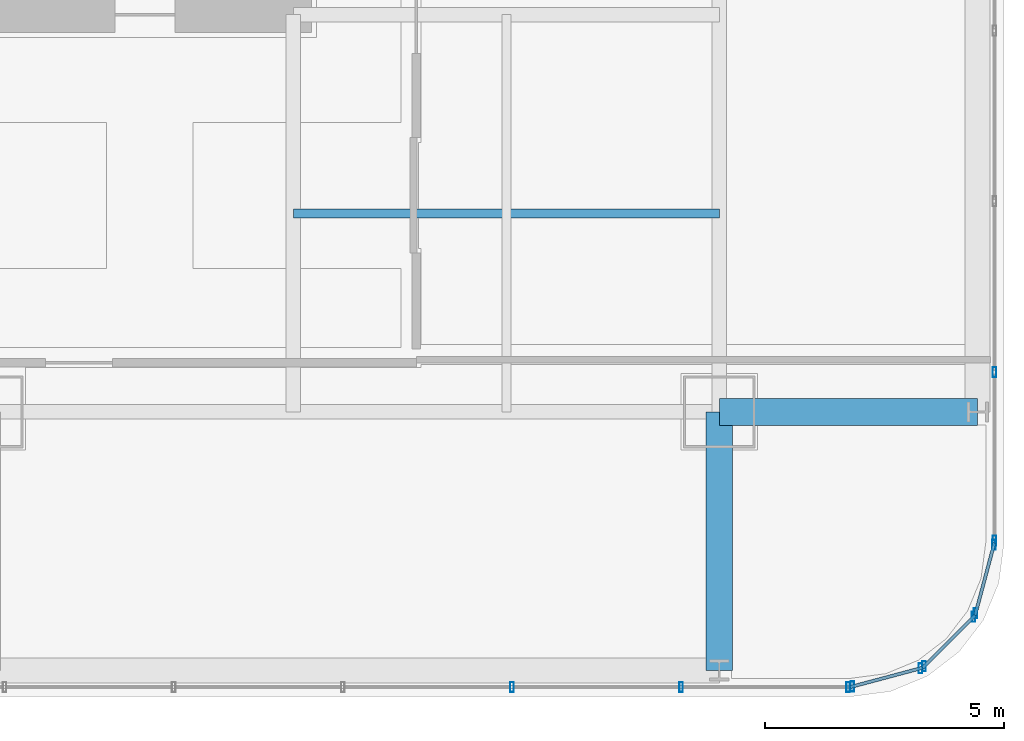
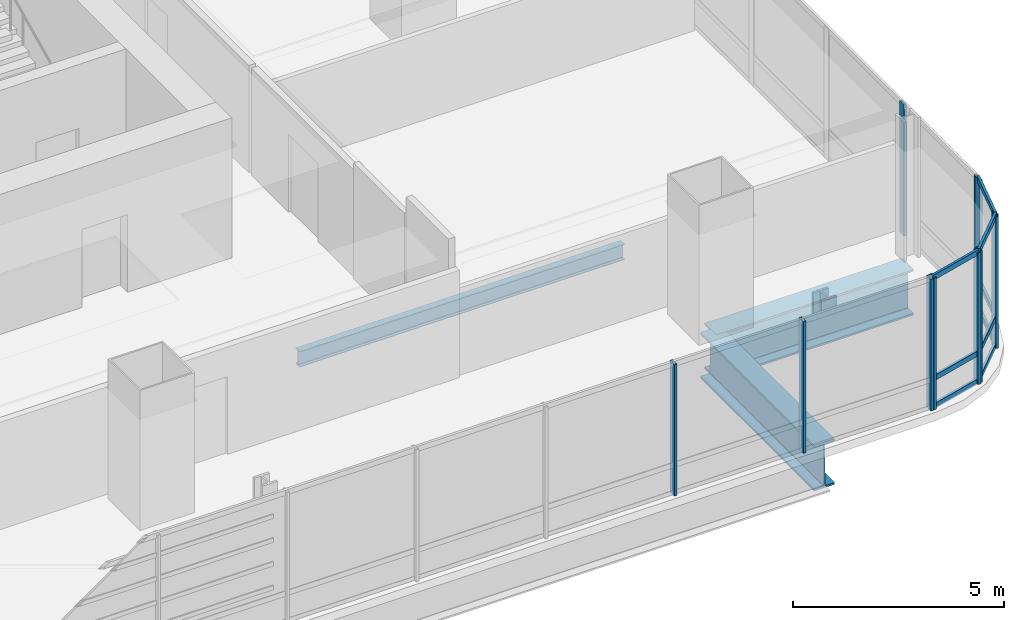
# One storey, part 12 of 35: 20 members, 3 beams, 5 elements without a shape of their own.
"""IFC4 building model written with IfcOpenShell, lengths in metres."""

from ifc_helpers import new_model, si_unit, direction, frame, origin, origin_2d, place, context, subcontext, project, spatial, hollow_rectangle, i_section, extrude, material, material_profile, profile_set, type_object, element, aggregate, save


model = new_model("IFC4")

# Units and contexts
model_context = context("Model", 3, precision=1e-05, world=origin(), true_north=direction((0.0, 1.0)))
body_context = subcontext(model_context, "Body", "Model", "MODEL_VIEW")
ifc_project = project(units=[si_unit("LENGTHUNIT", "METRE"), si_unit("AREAUNIT", "SQUARE_METRE"), si_unit("VOLUMEUNIT", "CUBIC_METRE"), si_unit("PLANEANGLEUNIT", "RADIAN"), si_unit("MASSUNIT", "GRAM", prefix="KILO")], contexts=[model_context])

# Site, building, storey
site_placement = place(None, origin())
site = spatial("IfcSite", under=ifc_project, at=site_placement, CompositionType="ELEMENT")
building_placement = place(site_placement, origin())
building = spatial("IfcBuilding", under=site, at=building_placement, Name="Punatoya Terracotta Tower", CompositionType="ELEMENT")
storey_placement = place(building_placement, frame((0.0, 0.0, 72.75)))
storey = spatial("IfcBuildingStorey", under=building, at=storey_placement, Name="L16", CompositionType="ELEMENT", Elevation=72.75)

# Beams
ifc_material_1 = material(Name="Steel S355", Category="steel")
ifc_material_profile_1 = material_profile(ifc_material_1, i_section(OverallWidth=0.18994140625, OverallDepth=0.449951171875, WebThickness=0.009521484375, FlangeThickness=0.0146484375, FilletRadius=0.01806640625, at=origin_2d()))
ifc_profile_set_1 = profile_set([ifc_material_profile_1], Name="Steel S355")
beam_type_1 = type_object("IfcBeamType", Name="BM-SEC-450", PredefinedType="JOIST", material=ifc_profile_set_1)
beam_placement = place(storey_placement, frame((10.199951171875, -13.35009765625, -0.465087890625), z_axis=(1.0, 0.0, 0.0), x_axis=(0.0, 1.0, 0.0)))
element("IfcBeam", 1, at=beam_placement, inside=storey, type_object=beam_type_1, Name="BM-L16-SJS-2", PredefinedType="JOIST", context=body_context, shape_type="SweptSolid", body=[
    extrude(i_section(OverallWidth=0.18994140625, OverallDepth=0.449951171875, WebThickness=0.009521484375, FlangeThickness=0.0146484375, FilletRadius=0.01806640625, at=origin_2d()), origin(), (0.0, 0.0, 1.0), 8.900146484375),
])
ifc_material_2 = material(Name="Steel S460", Category="steel")
ifc_material_profile_2 = material_profile(ifc_material_2, i_section(OverallWidth=0.56005859375, OverallDepth=1.320068359375, WebThickness=0.035888671875, FlangeThickness=0.054931640625, FilletRadius=0.01806640625, at=origin_2d()))
ifc_profile_set_2 = profile_set([ifc_material_profile_2], Name="Steel S460")
beam_type_2 = type_object("IfcBeamType", Name="BM-TG-BLK", PredefinedType="BEAM", material=ifc_profile_set_2)
for number, where, z_axis, x_axis, name in (
    (2, (19.10009765625, -17.5, -0.89990234375), (1.0, 0.0, 0.0), (0.0, 1.0, 0.0), "BM-L16-CANT-E1"),
    (3, (19.10009765625, -22.89990234375, -0.89990234375), (0.0, 1.0, 0.0), (-1.0, 0.0, 0.0), "BM-L16-CANT-S4"),
):
    element("IfcBeam", number, at=place(storey_placement, frame(where, z_axis=z_axis, x_axis=x_axis)), inside=storey, type_object=beam_type_2, Name=name, PredefinedType="BEAM", context=body_context, shape_type="SweptSolid", body=[
        extrude(i_section(OverallWidth=0.56005859375, OverallDepth=1.320068359375, WebThickness=0.035888671875, FlangeThickness=0.054931640625, FilletRadius=0.01806640625, at=origin_2d()), origin(), (0.0, 0.0, 1.0), 5.39990234375),
    ])

# Curtain wall, members
ifc_material_3 = material(Name="Aluminium 6063-T6 + Double Low-E Glass", Category="aluminium")
curtain_wall_type = type_object("IfcCurtainWallType", Name="CW-M1", PredefinedType="NOTDEFINED", material=ifc_material_3)
curtain_wall_1_placement = place(storey_placement, origin())
curtain_wall_1 = element("IfcCurtainWall", 4, at=curtain_wall_1_placement, inside=storey, type_object=curtain_wall_type, Name="L16 Curtain Wall CW-L16-S01-1", PredefinedType="NOTDEFINED")
ifc_material_4 = material(Name="Aluminium 6063-T6", Category="aluminium")
ifc_material_profile_3 = material_profile(ifc_material_4, hollow_rectangle(XDim=0.074951171875, YDim=0.2099609375, WallThickness=0.00439453125, at=origin_2d()))
ifc_profile_set_3 = profile_set([ifc_material_profile_3], Name="Aluminium 6063-T6")
member_type_1 = type_object("IfcMemberType", Name="CW-MUL-M1", PredefinedType="MULLION", material=ifc_profile_set_3)
member_1_placement = place(storey_placement, frame((14.768798828125, -23.25, 0.0), z_axis=(0.0, 0.0, 1.0), x_axis=(1.0, 0.0, 0.0)))
member_1 = element("IfcMember", 5, at=member_1_placement, type_object=member_type_1, Name="CW-L16-S01-1 Mullion 09", PredefinedType="MULLION", context=body_context, shape_type="SweptSolid", body=[
    extrude(hollow_rectangle(XDim=0.074951171875, YDim=0.2099609375, WallThickness=0.00439453125, at=origin_2d()), origin(), (0.0, 0.0, 1.0), 3.81005859375),
])
member_2_placement = place(storey_placement, frame((18.302978515625, -23.25, 0.0), z_axis=(0.0, 0.0, 1.0), x_axis=(1.0, 0.0, 0.0)))
member_2 = element("IfcMember", 6, at=member_2_placement, type_object=member_type_1, Name="CW-L16-S01-1 Mullion 10", PredefinedType="MULLION", context=body_context, shape_type="SweptSolid", body=[
    extrude(hollow_rectangle(XDim=0.074951171875, YDim=0.2099609375, WallThickness=0.00439453125, at=origin_2d()), origin(), (0.0, 0.0, 1.0), 3.81005859375),
])
member_3_placement = place(storey_placement, frame((21.7919921875, -23.25, 0.0), z_axis=(0.0, 0.0, 1.0), x_axis=(1.0, 0.0, 0.0)))
member_3 = element("IfcMember", 7, at=member_3_placement, type_object=member_type_1, Name="CW-L16-S01-1 Mullion 11", PredefinedType="MULLION", context=body_context, shape_type="SweptSolid", body=[
    extrude(hollow_rectangle(XDim=0.074951171875, YDim=0.2099609375, WallThickness=0.00439453125, at=origin_2d()), origin(), (0.0, 0.0, 1.0), 3.81005859375),
])
aggregate(curtain_wall_1, [member_1, member_2, member_3])

curtain_wall_2_placement = place(storey_placement, origin())
curtain_wall_2 = element("IfcCurtainWall", 8, at=curtain_wall_2_placement, inside=storey, type_object=curtain_wall_type, Name="L16 Curtain Wall CW-L16-CRN02", PredefinedType="NOTDEFINED")
member_4_placement = place(storey_placement, frame((21.88037109375, -23.23828125, 0.0), z_axis=(0.0, 0.0, 1.0), x_axis=(1.0, 0.0, 0.0)))
member_4 = element("IfcMember", 9, at=member_4_placement, type_object=member_type_1, Name="CW-L16-CRN02 Mullion 00", PredefinedType="MULLION", context=body_context, shape_type="SweptSolid", body=[
    extrude(hollow_rectangle(XDim=0.074951171875, YDim=0.2099609375, WallThickness=0.00439453125, at=origin_2d()), origin(), (0.0, 0.0, 1.0), 3.81005859375),
])
member_5_placement = place(storey_placement, frame((23.3056640625, -22.858154296875, 0.0), z_axis=(0.0, 0.0, 1.0), x_axis=(1.0, 0.0, 0.0)))
member_5 = element("IfcMember", 10, at=member_5_placement, type_object=member_type_1, Name="CW-L16-CRN02 Mullion 01", PredefinedType="MULLION", context=body_context, shape_type="SweptSolid", body=[
    extrude(hollow_rectangle(XDim=0.074951171875, YDim=0.2099609375, WallThickness=0.00439453125, at=origin_2d()), origin(), (0.0, 0.0, 1.0), 3.81005859375),
])

curtain_wall_3_placement = place(storey_placement, origin())
curtain_wall_3 = element("IfcCurtainWall", 11, at=curtain_wall_3_placement, inside=storey, type_object=curtain_wall_type, Name="L16 Curtain Wall CW-L16-CRN03", PredefinedType="NOTDEFINED")
member_6_placement = place(storey_placement, frame((23.380859375, -22.814697265625, 0.0), z_axis=(0.0, 0.0, 1.0), x_axis=(1.0, 0.0, 0.0)))
member_6 = element("IfcMember", 12, at=member_6_placement, type_object=member_type_1, Name="CW-L16-CRN03 Mullion 00", PredefinedType="MULLION", context=body_context, shape_type="SweptSolid", body=[
    extrude(hollow_rectangle(XDim=0.074951171875, YDim=0.2099609375, WallThickness=0.00439453125, at=origin_2d()), origin(), (0.0, 0.0, 1.0), 3.81005859375),
])
member_7_placement = place(storey_placement, frame((24.414794921875, -21.781005859375, 0.0), z_axis=(0.0, 0.0, 1.0), x_axis=(1.0, 0.0, 0.0)))
member_7 = element("IfcMember", 13, at=member_7_placement, type_object=member_type_1, Name="CW-L16-CRN03 Mullion 01", PredefinedType="MULLION", context=body_context, shape_type="SweptSolid", body=[
    extrude(hollow_rectangle(XDim=0.074951171875, YDim=0.2099609375, WallThickness=0.00439453125, at=origin_2d()), origin(), (0.0, 0.0, 1.0), 3.81005859375),
])

curtain_wall_4_placement = place(storey_placement, origin())
curtain_wall_4 = element("IfcCurtainWall", 14, at=curtain_wall_4_placement, inside=storey, type_object=curtain_wall_type, Name="L16 Curtain Wall CW-L16-CRN04", PredefinedType="NOTDEFINED")
member_8_placement = place(storey_placement, frame((24.458251953125, -21.70556640625, 0.0), z_axis=(0.0, 0.0, 1.0), x_axis=(1.0, 0.0, 0.0)))
member_8 = element("IfcMember", 15, at=member_8_placement, type_object=member_type_1, Name="CW-L16-CRN04 Mullion 00", PredefinedType="MULLION", context=body_context, shape_type="SweptSolid", body=[
    extrude(hollow_rectangle(XDim=0.074951171875, YDim=0.2099609375, WallThickness=0.00439453125, at=origin_2d()), origin(), (0.0, 0.0, 1.0), 3.81005859375),
])
member_9_placement = place(storey_placement, frame((24.83837890625, -20.280517578125, 0.0), z_axis=(0.0, 0.0, 1.0), x_axis=(1.0, 0.0, 0.0)))
member_9 = element("IfcMember", 16, at=member_9_placement, type_object=member_type_1, Name="CW-L16-CRN04 Mullion 01", PredefinedType="MULLION", context=body_context, shape_type="SweptSolid", body=[
    extrude(hollow_rectangle(XDim=0.074951171875, YDim=0.2099609375, WallThickness=0.00439453125, at=origin_2d()), origin(), (0.0, 0.0, 1.0), 3.81005859375),
])

curtain_wall_5_placement = place(storey_placement, origin())
curtain_wall_5 = element("IfcCurtainWall", 17, at=curtain_wall_5_placement, inside=storey, type_object=curtain_wall_type, Name="L16 Curtain Wall CW-L16-E05-1", PredefinedType="NOTDEFINED")
member_10_placement = place(storey_placement, frame((24.85009765625, -20.19189453125, 0.0), z_axis=(0.0, 0.0, 1.0), x_axis=(1.0, 0.0, 0.0)))
member_10 = element("IfcMember", 18, at=member_10_placement, type_object=member_type_1, Name="CW-L16-E05-1 Mullion 00", PredefinedType="MULLION", context=body_context, shape_type="SweptSolid", body=[
    extrude(hollow_rectangle(XDim=0.074951171875, YDim=0.2099609375, WallThickness=0.00439453125, at=origin_2d()), origin(), (0.0, 0.0, 1.0), 3.81005859375),
])
member_11_placement = place(storey_placement, frame((24.85009765625, -16.66943359375, 0.0), z_axis=(0.0, 0.0, 1.0), x_axis=(1.0, 0.0, 0.0)))
member_11 = element("IfcMember", 19, at=member_11_placement, type_object=member_type_1, Name="CW-L16-E05-1 Mullion 01", PredefinedType="MULLION", context=body_context, shape_type="SweptSolid", body=[
    extrude(hollow_rectangle(XDim=0.074951171875, YDim=0.2099609375, WallThickness=0.00439453125, at=origin_2d()), origin(), (0.0, 0.0, 1.0), 3.81005859375),
])
aggregate(curtain_wall_5, [member_10, member_11])

# Member
ifc_material_profile_4 = material_profile(ifc_material_4, hollow_rectangle(XDim=0.068115234375, YDim=0.14990234375, WallThickness=0.00390625, at=origin_2d()))
ifc_profile_set_4 = profile_set([ifc_material_profile_4], Name="Aluminium 6063-T6")
member_type_2 = type_object("IfcMemberType", Name="CW-TRN-TYP", PredefinedType="USERDEFINED", material=ifc_profile_set_4)
member_12_placement = place(storey_placement, frame((21.8369140625, -23.25, 0.0400390625), z_axis=(0.966224582397, 0.257701486942, 0.0), x_axis=(-0.257701486942, 0.966224582397, 0.0)))
member_12 = element("IfcMember", 20, at=member_12_placement, type_object=member_type_2, Name="CW-L16-CRN02 Transom 1", ObjectType="TRANSOM", PredefinedType="USERDEFINED", context=body_context, shape_type="SweptSolid", body=[
    extrude(hollow_rectangle(XDim=0.068115234375, YDim=0.14990234375, WallThickness=0.00390625, at=origin_2d()), origin(), (0.0, 0.0, 1.0), 1.565185546875),
])

member_13_placement = place(storey_placement, frame((21.8369140625, -23.25, 0.85009765625), z_axis=(0.966224582397, 0.257701486942, 0.0), x_axis=(-0.257701486942, 0.966224582397, 0.0)))
member_13 = element("IfcMember", 21, at=member_13_placement, type_object=member_type_2, Name="CW-L16-CRN02 Transom 2", ObjectType="TRANSOM", PredefinedType="USERDEFINED", context=body_context, shape_type="SweptSolid", body=[
    extrude(hollow_rectangle(XDim=0.068115234375, YDim=0.14990234375, WallThickness=0.00390625, at=origin_2d()), origin(), (0.0, 0.0, 1.0), 1.565185546875),
])

member_14_placement = place(storey_placement, frame((21.8369140625, -23.25, 3.77001953125), z_axis=(0.966224582397, 0.257701486942, 0.0), x_axis=(-0.257701486942, 0.966224582397, 0.0)))
member_14 = element("IfcMember", 22, at=member_14_placement, type_object=member_type_2, Name="CW-L16-CRN02 Transom 3", ObjectType="TRANSOM", PredefinedType="USERDEFINED", context=body_context, shape_type="SweptSolid", body=[
    extrude(hollow_rectangle(XDim=0.068115234375, YDim=0.14990234375, WallThickness=0.00390625, at=origin_2d()), origin(), (0.0, 0.0, 1.0), 1.565185546875),
])

aggregate(curtain_wall_2, [member_4, member_5, member_12, member_13, member_14])

member_15_placement = place(storey_placement, frame((23.34912109375, -22.8466796875, 0.0400390625), z_axis=(0.707028130747, 0.707185422879, 0.0), x_axis=(-0.707185422879, 0.707028130747, 0.0)))
member_15 = element("IfcMember", 23, at=member_15_placement, type_object=member_type_2, Name="CW-L16-CRN03 Transom 1", ObjectType="TRANSOM", PredefinedType="USERDEFINED", context=body_context, shape_type="SweptSolid", body=[
    extrude(hollow_rectangle(XDim=0.068115234375, YDim=0.14990234375, WallThickness=0.00390625, at=origin_2d()), origin(), (0.0, 0.0, 1.0), 1.55224609375),
])

member_16_placement = place(storey_placement, frame((23.34912109375, -22.8466796875, 0.85009765625), z_axis=(0.707028130747, 0.707185422879, 0.0), x_axis=(-0.707185422879, 0.707028130747, 0.0)))
member_16 = element("IfcMember", 24, at=member_16_placement, type_object=member_type_2, Name="CW-L16-CRN03 Transom 2", ObjectType="TRANSOM", PredefinedType="USERDEFINED", context=body_context, shape_type="SweptSolid", body=[
    extrude(hollow_rectangle(XDim=0.068115234375, YDim=0.14990234375, WallThickness=0.00390625, at=origin_2d()), origin(), (0.0, 0.0, 1.0), 1.55224609375),
])

member_17_placement = place(storey_placement, frame((23.34912109375, -22.8466796875, 3.77001953125), z_axis=(0.707028130747, 0.707185422879, 0.0), x_axis=(-0.707185422879, 0.707028130747, 0.0)))
member_17 = element("IfcMember", 25, at=member_17_placement, type_object=member_type_2, Name="CW-L16-CRN03 Transom 3", ObjectType="TRANSOM", PredefinedType="USERDEFINED", context=body_context, shape_type="SweptSolid", body=[
    extrude(hollow_rectangle(XDim=0.068115234375, YDim=0.14990234375, WallThickness=0.00390625, at=origin_2d()), origin(), (0.0, 0.0, 1.0), 1.55224609375),
])

aggregate(curtain_wall_3, [member_6, member_7, member_15, member_16, member_17])

member_18_placement = place(storey_placement, frame((24.446533203125, -21.7490234375, 0.0400390625), z_axis=(0.257847112249, 0.966185730957, 0.0), x_axis=(-0.966185730957, 0.257847112249, 0.0)))
member_18 = element("IfcMember", 26, at=member_18_placement, type_object=member_type_2, Name="CW-L16-CRN04 Transom 1", ObjectType="TRANSOM", PredefinedType="USERDEFINED", context=body_context, shape_type="SweptSolid", body=[
    extrude(hollow_rectangle(XDim=0.068115234375, YDim=0.14990234375, WallThickness=0.00390625, at=origin_2d()), origin(), (0.0, 0.0, 1.0), 1.565185546875),
])

member_19_placement = place(storey_placement, frame((24.446533203125, -21.7490234375, 0.85009765625), z_axis=(0.257847112249, 0.966185730957, 0.0), x_axis=(-0.966185730957, 0.257847112249, 0.0)))
member_19 = element("IfcMember", 27, at=member_19_placement, type_object=member_type_2, Name="CW-L16-CRN04 Transom 2", ObjectType="TRANSOM", PredefinedType="USERDEFINED", context=body_context, shape_type="SweptSolid", body=[
    extrude(hollow_rectangle(XDim=0.068115234375, YDim=0.14990234375, WallThickness=0.00390625, at=origin_2d()), origin(), (0.0, 0.0, 1.0), 1.565185546875),
])

member_20_placement = place(storey_placement, frame((24.446533203125, -21.7490234375, 3.77001953125), z_axis=(0.257847112249, 0.966185730957, 0.0), x_axis=(-0.966185730957, 0.257847112249, 0.0)))
member_20 = element("IfcMember", 28, at=member_20_placement, type_object=member_type_2, Name="CW-L16-CRN04 Transom 3", ObjectType="TRANSOM", PredefinedType="USERDEFINED", context=body_context, shape_type="SweptSolid", body=[
    extrude(hollow_rectangle(XDim=0.068115234375, YDim=0.14990234375, WallThickness=0.00390625, at=origin_2d()), origin(), (0.0, 0.0, 1.0), 1.565185546875),
])

aggregate(curtain_wall_4, [member_8, member_9, member_18, member_19, member_20])

save(model, "model.ifc")
